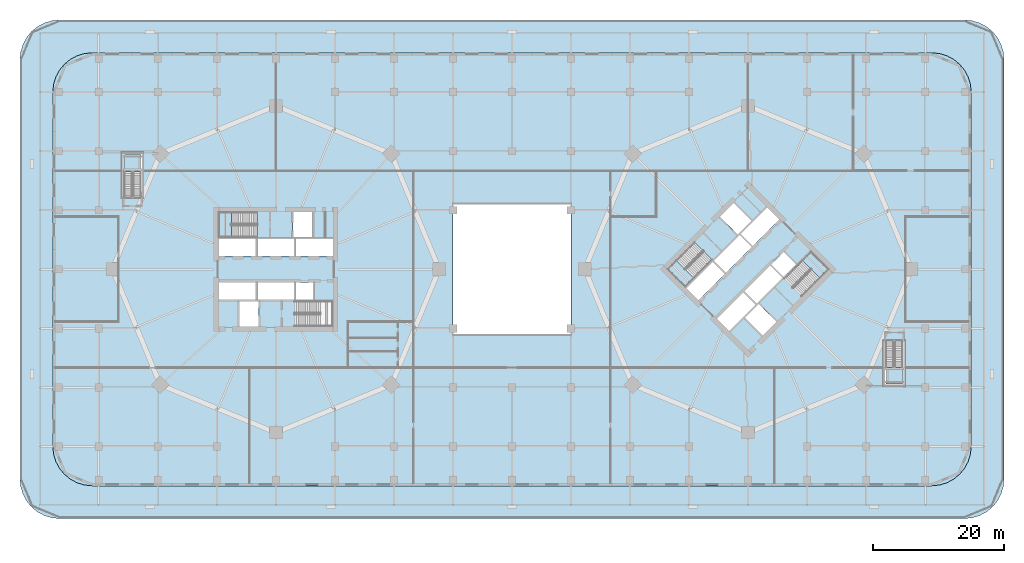
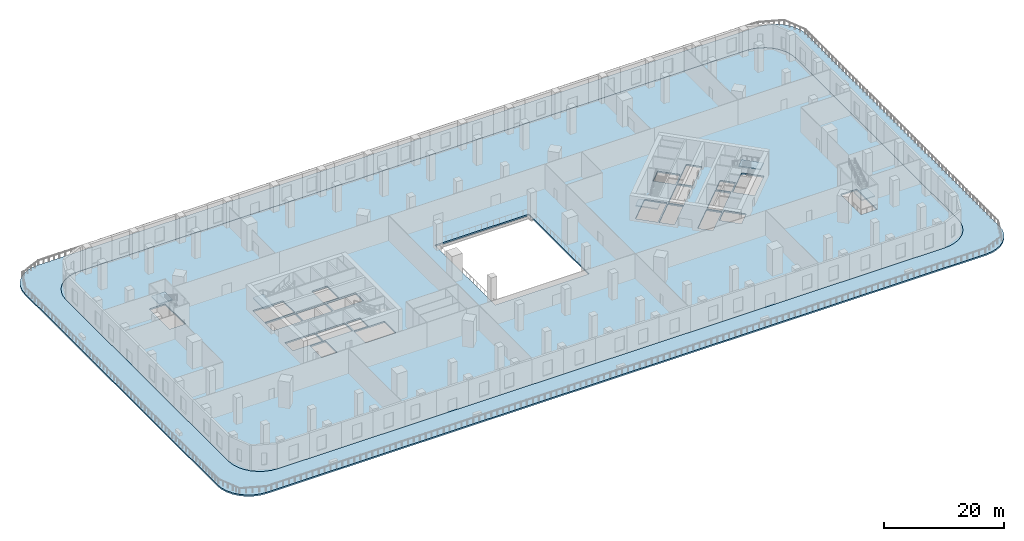
# One storey, part 3 of 20: 7 slabs, 5 elements without a shape of their own.
"""IFC4 building model written with IfcOpenShell, lengths in metres."""

from ifc_helpers import new_model, si_unit, direction, frame, origin, place, context, subcontext, project, spatial, polyline, outline, extrude, material, layer, layer_set, type_object, element, aggregate, save


model = new_model("IFC4")

# Units and contexts
model_context = context("Model", 3, precision=1e-05, world=origin(), true_north=direction((0.0, 1.0)))
body_context = subcontext(model_context, "Body", "Model", "MODEL_VIEW")
ifc_project = project(units=[si_unit("LENGTHUNIT", "METRE"), si_unit("AREAUNIT", "SQUARE_METRE"), si_unit("VOLUMEUNIT", "CUBIC_METRE"), si_unit("PLANEANGLEUNIT", "RADIAN"), si_unit("MASSUNIT", "GRAM", prefix="KILO")], contexts=[model_context])

# Site, building, storey
site_placement = place(None, origin())
site = spatial("IfcSite", under=ifc_project, at=site_placement, CompositionType="ELEMENT")
building_placement = place(site_placement, origin())
building = spatial("IfcBuilding", under=site, at=building_placement, Name="Ogive Gate Towers", CompositionType="ELEMENT")
storey_placement = place(building_placement, frame((0.0, 0.0, 7.199951171875)))
storey = spatial("IfcBuildingStorey", under=building, at=storey_placement, Name="L01", CompositionType="ELEMENT", Elevation=7.199951171875)

# Slab
ifc_material_1 = material(Name="Concrete C35/45", Category="concrete")
ifc_layer_1 = layer(ifc_material_1, 0.300048828125)
ifc_layer_set_1 = layer_set([ifc_layer_1], Name="Floor slab 300")
slab_type_1 = type_object("IfcSlabType", Name="Floor slab 300", PredefinedType="FLOOR", material=ifc_layer_set_1)
slab_1_placement = place(storey_placement, frame((0.0, 0.0, -0.300048828125)))
element("IfcSlab", 1, at=slab_1_placement, inside=storey, type_object=slab_type_1, Name="PD/L01/SSL001", PredefinedType="FLOOR", context=body_context, shape_type="SweptSolid", body=[
    extrude(outline(polyline([(68.24267578125, 31.24267578125), (67.33349609375, 31.98876953125), (66.296142578125, 32.543212890625), (65.170654296875, 32.884765625), (64.0, 33.0), (-64.0, 33.0), (-65.170654296875, 32.884765625), (-66.296142578125, 32.543212890625), (-67.33349609375, 31.98876953125), (-68.24267578125, 31.24267578125), (-68.98876953125, 30.33349609375), (-69.543212890625, 29.296142578125), (-69.884765625, 28.170654296875), (-70.0, 27.0), (-70.0, -27.0), (-69.884765625, -28.170654296875), (-69.543212890625, -29.296142578125), (-68.98876953125, -30.33349609375), (-68.24267578125, -31.24267578125), (-67.33349609375, -31.98876953125), (-66.296142578125, -32.543212890625), (-65.170654296875, -32.884765625), (-64.0, -33.0), (64.0, -33.0), (65.170654296875, -32.884765625), (66.296142578125, -32.543212890625), (67.33349609375, -31.98876953125), (68.24267578125, -31.24267578125), (68.98876953125, -30.33349609375), (69.543212890625, -29.296142578125), (69.884765625, -28.170654296875), (70.0, -27.0), (70.0, 27.0), (69.884765625, 28.170654296875), (69.543212890625, 29.296142578125), (68.98876953125, 30.33349609375), (68.24267578125, 31.24267578125)]), holes=[polyline([(-9.0, 10.0), (9.0, 10.0), (9.0, -10.0), (-9.0, -10.0), (-9.0, 10.0)]), polyline([(-56.300048828125, 10.965087890625), (-59.35009765625, 10.965087890625), (-59.35009765625, 17.719970703125), (-56.300048828125, 17.719970703125), (-56.300048828125, 10.965087890625)]), polyline([(59.800048828125, -10.965087890625), (59.800048828125, -17.719970703125), (56.75, -17.719970703125), (56.75, -10.965087890625), (59.800048828125, -10.965087890625)]), polyline([(-39.02490234375, 2.0), (-44.699951171875, 2.0), (-44.699951171875, 4.625), (-39.02490234375, 4.625), (-39.02490234375, 2.0)]), polyline([(-38.77490234375, 4.625), (-33.22509765625, 4.625), (-33.22509765625, 2.0), (-38.77490234375, 2.0), (-38.77490234375, 4.625)]), polyline([(-27.300048828125, 2.0), (-32.97509765625, 2.0), (-32.97509765625, 4.625), (-27.300048828125, 4.625), (-27.300048828125, 2.0)]), polyline([(-44.699951171875, -2.0), (-39.02490234375, -2.0), (-39.02490234375, -4.625), (-44.699951171875, -4.625), (-44.699951171875, -2.0)]), polyline([(-33.22509765625, -4.625), (-38.77490234375, -4.625), (-38.77490234375, -2.0), (-33.22509765625, -2.0), (-33.22509765625, -4.625)]), polyline([(-32.97509765625, -2.0), (-30.324951171875, -2.0), (-30.324951171875, -4.625), (-32.97509765625, -4.625), (-32.97509765625, -2.0)]), polyline([(-30.425048828125, 4.875), (-33.375, 4.875), (-33.375, 8.699951171875), (-30.425048828125, 8.699951171875), (-30.425048828125, 4.875)]), polyline([(-41.574951171875, -4.875), (-38.625, -4.875), (-38.625, -8.699951171875), (-41.574951171875, -8.699951171875), (-41.574951171875, -4.875)]), polyline([(-44.699951171875, 8.699951171875), (-38.885009765625, 8.699951171875), (-38.885009765625, 4.875), (-44.699951171875, 4.875), (-44.699951171875, 8.699951171875)]), polyline([(-33.114990234375, -4.875), (-27.300048828125, -4.875), (-27.300048828125, -8.699951171875), (-33.114990234375, -8.699951171875), (-33.114990234375, -4.875)]), polyline([(26.577880859375, -2.88134765625), (30.590576171875, 1.13134765625), (32.44677734375, -0.724853515625), (28.433837890625, -4.737548828125), (26.577880859375, -2.88134765625)]), polyline([(36.548095703125, 3.37646484375), (32.62353515625, -0.548095703125), (30.767333984375, 1.30810546875), (34.69189453125, 5.232666015625), (36.548095703125, 3.37646484375)]), polyline([(34.86865234375, 5.409423828125), (38.88134765625, 9.422119140625), (40.737548828125, 7.566162109375), (36.724853515625, 3.55322265625), (34.86865234375, 5.409423828125)]), polyline([(37.13134765625, -5.409423828125), (33.11865234375, -9.422119140625), (31.262451171875, -7.566162109375), (35.275146484375, -3.55322265625), (37.13134765625, -5.409423828125)]), polyline([(35.451904296875, -3.37646484375), (39.37646484375, 0.548095703125), (41.232666015625, -1.30810546875), (37.30810546875, -5.232666015625), (35.451904296875, -3.37646484375)]), polyline([(43.283203125, 0.742431640625), (41.409423828125, -1.13134765625), (39.55322265625, 0.724853515625), (41.427001953125, 2.5986328125), (43.283203125, 0.742431640625)]), polyline([(31.704345703125, 8.008056640625), (33.790283203125, 10.093994140625), (36.494873046875, 7.38916015625), (34.408935546875, 5.30322265625), (31.704345703125, 8.008056640625)]), polyline([(40.295654296875, -8.008056640625), (38.209716796875, -10.093994140625), (35.505126953125, -7.38916015625), (37.591064453125, -5.30322265625), (40.295654296875, -8.008056640625)]), polyline([(30.512939453125, 1.4072265625), (26.401123046875, -2.70458984375), (23.6962890625, 0.0), (27.80810546875, 4.11181640625), (30.512939453125, 1.4072265625)]), polyline([(48.3037109375, 0.0), (44.19189453125, -4.11181640625), (41.487060546875, -1.4072265625), (45.598876953125, 2.70458984375), (48.3037109375, 0.0)])]), origin(), (0.0, 0.0, 1.0), 0.300048828125),
])

# Stair, slab
ifc_material_2 = material(Name="Reinforced concrete C32/40", Category="concrete")
stair_type_1 = type_object("IfcStairType", Name="Escape stair 180 x 280", PredefinedType="HALF_TURN_STAIR", material=ifc_material_2)
stair_1_placement = place(storey_placement, origin())
stair_1 = element("IfcStair", 2, at=stair_1_placement, inside=storey, type_object=stair_type_1, Name="L01 escape stair", PredefinedType="HALF_TURN_STAIR")
ifc_layer_2 = layer(ifc_material_2, 0.199951171875)
ifc_layer_set_2 = layer_set([ifc_layer_2], Name="Stair landing 200")
slab_type_2 = type_object("IfcSlabType", Name="Stair landing 200", PredefinedType="LANDING", material=ifc_layer_set_2)
slab_2_placement = place(storey_placement, frame((0.0, 0.0, 2.5)))
slab_2 = element("IfcSlab", 3, at=slab_2_placement, type_object=slab_type_2, Name="PS1 landing 1", PredefinedType="LANDING", context=body_context, shape_type="SweptSolid", body=[
    extrude(outline(polyline([(-56.550048828125, 14.8701171875), (-56.550048828125, 17.469970703125), (-59.10009765625, 17.469970703125), (-59.10009765625, 14.8701171875), (-56.550048828125, 14.8701171875)])), origin(), (0.0, 0.0, 1.0), 0.199951171875),
])
aggregate(stair_1, [slab_2])

stair_2_placement = place(storey_placement, origin())
stair_2 = element("IfcStair", 4, at=stair_2_placement, inside=storey, type_object=stair_type_1, Name="L01 escape stair", PredefinedType="HALF_TURN_STAIR")
slab_3_placement = place(storey_placement, frame((0.0, 0.0, 2.5)))
slab_3 = element("IfcSlab", 5, at=slab_3_placement, type_object=slab_type_2, Name="PS2 landing 1", PredefinedType="LANDING", context=body_context, shape_type="SweptSolid", body=[
    extrude(outline(polyline([(57.0, -14.8701171875), (57.0, -17.469970703125), (59.550048828125, -17.469970703125), (59.550048828125, -14.8701171875), (57.0, -14.8701171875)])), origin(), (0.0, 0.0, 1.0), 0.199951171875),
])
aggregate(stair_2, [slab_3])

ifc_material_3 = material(Name="Concrete C40/50", Category="concrete")
stair_type_2 = type_object("IfcStairType", Name="Escape stair 1840 wide", PredefinedType="HALF_TURN_STAIR", material=ifc_material_3)
stair_3_placement = place(storey_placement, origin())
stair_3 = element("IfcStair", 6, at=stair_3_placement, inside=storey, type_object=stair_type_2, Name="L01 Escape stair 1", PredefinedType="HALF_TURN_STAIR")
ifc_layer_3 = layer(ifc_material_3, 0.199951171875)
ifc_layer_set_3 = layer_set([ifc_layer_3], Name="Stair landing 200 mm")
slab_type_3 = type_object("IfcSlabType", Name="Stair landing 200 mm", PredefinedType="LANDING", material=ifc_layer_set_3)
slab_4_placement = place(storey_placement, frame((0.0, 0.0, 2.5)))
slab_4 = element("IfcSlab", 7, at=slab_4_placement, type_object=slab_type_3, Name="ST1 landing 1", PredefinedType="LANDING", context=body_context, shape_type="SweptSolid", body=[
    extrude(outline(polyline([(-42.784912109375, 8.699951171875), (-44.699951171875, 8.699951171875), (-44.699951171875, 4.875), (-42.784912109375, 4.875), (-42.784912109375, 8.699951171875)])), origin(), (0.0, 0.0, 1.0), 0.199951171875),
])
aggregate(stair_3, [slab_4])

stair_4_placement = place(storey_placement, origin())
stair_4 = element("IfcStair", 8, at=stair_4_placement, inside=storey, type_object=stair_type_2, Name="L01 Escape stair 1", PredefinedType="HALF_TURN_STAIR")
slab_5_placement = place(storey_placement, frame((0.0, 0.0, 2.5)))
slab_5 = element("IfcSlab", 9, at=slab_5_placement, type_object=slab_type_3, Name="ST1 landing 1", PredefinedType="LANDING", context=body_context, shape_type="SweptSolid", body=[
    extrude(outline(polyline([(25.050537109375, 1.35400390625), (23.6962890625, 0.0), (26.401123046875, -2.70458984375), (27.755126953125, -1.3505859375), (25.050537109375, 1.35400390625)])), origin(), (0.0, 0.0, 1.0), 0.199951171875),
])
aggregate(stair_4, [slab_5])

stair_5_placement = place(storey_placement, origin())
stair_5 = element("IfcStair", 10, at=stair_5_placement, inside=storey, type_object=stair_type_2, Name="L01 Escape stair 2", PredefinedType="HALF_TURN_STAIR")
slab_6_placement = place(storey_placement, frame((0.0, 0.0, 2.5)))
slab_6 = element("IfcSlab", 11, at=slab_6_placement, type_object=slab_type_3, Name="ST2 landing 1", PredefinedType="LANDING", context=body_context, shape_type="SweptSolid", body=[
    extrude(outline(polyline([(46.949462890625, -1.35400390625), (48.3037109375, 0.0), (45.598876953125, 2.70458984375), (44.244873046875, 1.3505859375), (46.949462890625, -1.35400390625)])), origin(), (0.0, 0.0, 1.0), 0.199951171875),
])
aggregate(stair_5, [slab_6])

# Slab
ifc_layer_4 = layer(ifc_material_1, 0.300048828125)
ifc_layer_set_4 = layer_set([ifc_layer_4], Name="Terrace slab 300")
slab_type_4 = type_object("IfcSlabType", Name="Terrace slab 300", PredefinedType="FLOOR", material=ifc_layer_set_4)
slab_7_placement = place(storey_placement, frame((0.0, 0.0, -0.300048828125)))
element("IfcSlab", 12, at=slab_7_placement, inside=storey, type_object=slab_type_4, Name="PD/L01/SSL002", PredefinedType="FLOOR", context=body_context, shape_type="SweptSolid", body=[
    extrude(outline(polyline([(-69.0, -38.0), (69.0, -38.0), (70.170654296875, -37.884765625), (71.296142578125, -37.543212890625), (72.33349609375, -36.98876953125), (73.24267578125, -36.24267578125), (73.98876953125, -35.33349609375), (74.543212890625, -34.296142578125), (74.884765625, -33.170654296875), (75.0, -32.0), (75.0, 32.0), (74.884765625, 33.170654296875), (74.543212890625, 34.296142578125), (73.98876953125, 35.33349609375), (73.24267578125, 36.24267578125), (72.33349609375, 36.98876953125), (71.296142578125, 37.543212890625), (70.170654296875, 37.884765625), (69.0, 38.0), (-69.0, 38.0), (-70.170654296875, 37.884765625), (-71.296142578125, 37.543212890625), (-72.33349609375, 36.98876953125), (-73.24267578125, 36.24267578125), (-73.98876953125, 35.33349609375), (-74.543212890625, 34.296142578125), (-74.884765625, 33.170654296875), (-75.0, 32.0), (-75.0, -32.0), (-74.884765625, -33.170654296875), (-74.543212890625, -34.296142578125), (-73.98876953125, -35.33349609375), (-73.24267578125, -36.24267578125), (-72.33349609375, -36.98876953125), (-71.296142578125, -37.543212890625), (-70.170654296875, -37.884765625), (-69.0, -38.0)]), holes=[polyline([(65.170654296875, -32.884765625), (64.0, -33.0), (-64.0, -33.0), (-65.170654296875, -32.884765625), (-66.296142578125, -32.543212890625), (-67.33349609375, -31.98876953125), (-68.24267578125, -31.24267578125), (-68.98876953125, -30.33349609375), (-69.543212890625, -29.296142578125), (-69.884765625, -28.170654296875), (-70.0, -27.0), (-70.0, 27.0), (-69.884765625, 28.170654296875), (-69.543212890625, 29.296142578125), (-68.98876953125, 30.33349609375), (-68.24267578125, 31.24267578125), (-67.33349609375, 31.98876953125), (-66.296142578125, 32.543212890625), (-65.170654296875, 32.884765625), (-64.0, 33.0), (64.0, 33.0), (65.170654296875, 32.884765625), (66.296142578125, 32.543212890625), (67.33349609375, 31.98876953125), (68.24267578125, 31.24267578125), (68.98876953125, 30.33349609375), (69.543212890625, 29.296142578125), (69.884765625, 28.170654296875), (70.0, 27.0), (70.0, -27.0), (69.884765625, -28.170654296875), (69.543212890625, -29.296142578125), (68.98876953125, -30.33349609375), (68.24267578125, -31.24267578125), (67.33349609375, -31.98876953125), (66.296142578125, -32.543212890625), (65.170654296875, -32.884765625)])]), origin(), (0.0, 0.0, 1.0), 0.300048828125),
])

save(model, "model.ifc")
